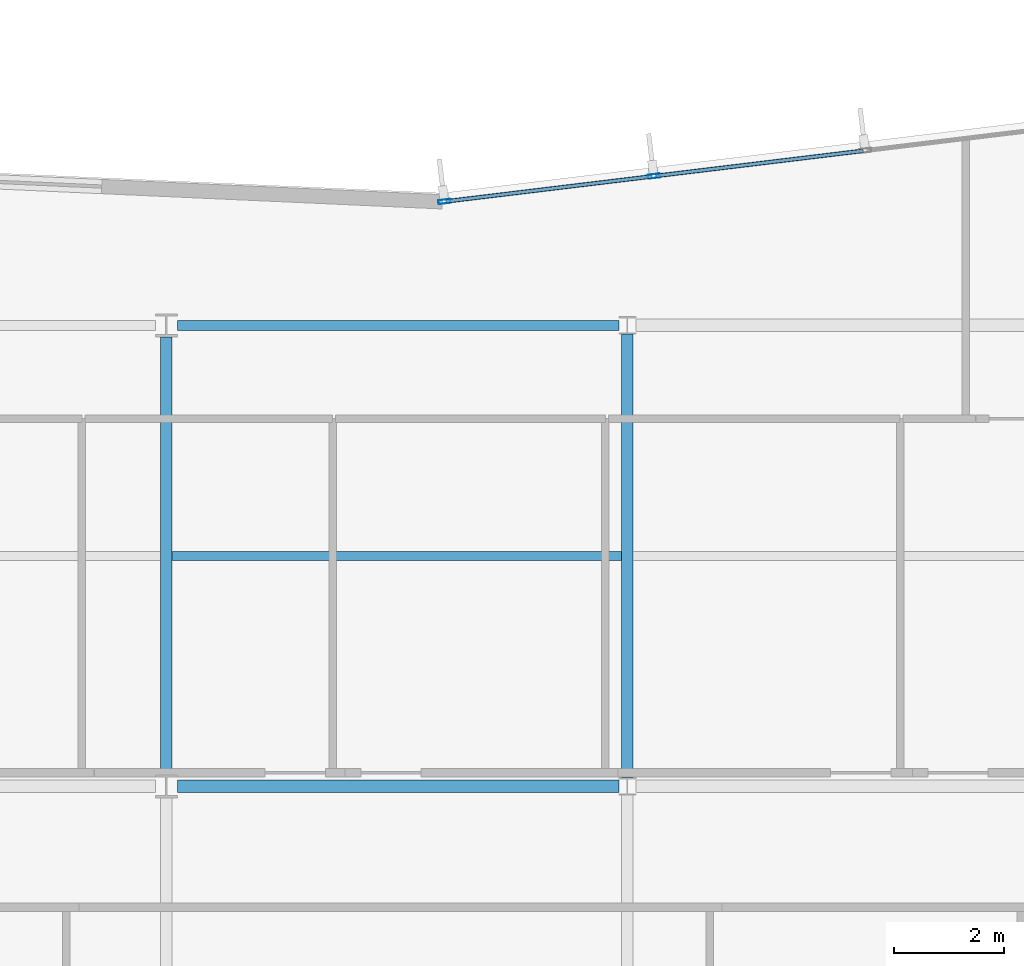
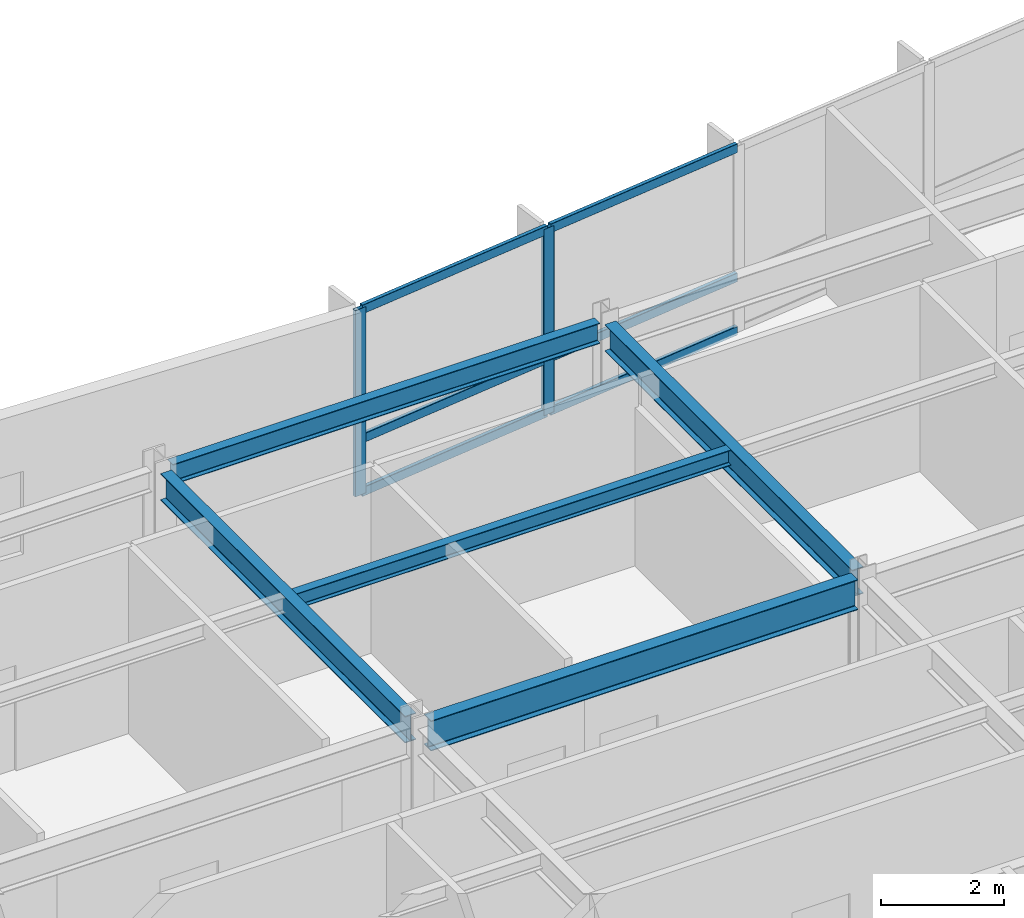
# One storey, part 6 of 18: 8 members, 5 beams, 1 element without a shape of its own.
"""IFC4 building model written with IfcOpenShell, lengths in metres."""

import ifcopenshell
import ifcopenshell.guid

model = None  # the IFC model being written
_history = None  # IfcOwnerHistory: only IFC2X3 demands one
_inside = {}  # id of a spatial element -> (the spatial element, [elements in it])
_under = {}  # id of a project, library or spatial element -> (it, [spatial elements below it])
_declared = {}  # id of a project -> (the project, [libraries it declares])
_typed = {}  # id of a type object -> (the type object, [elements of that type])
_made_of = {}  # id of a material, layer set ... -> (it, [elements and type objects made of it])


def new_model(schema):
    """Start an empty IFC model of exactly this schema.

    Asked for "IFC4X3", IfcOpenShell would pick the latest addendum, in which some entities
    have other attributes; the version numbers below select the first issue.
    IFC2X3 requires an IfcOwnerHistory on every rooted entity: one is made here for all.
    """
    global model, _history
    if schema == "IFC4X3":
        model = ifcopenshell.file(schema_version=(4, 3, 0, 0))
    else:
        model = ifcopenshell.file(schema=schema)
    _inside.clear()
    _under.clear()
    _declared.clear()
    _typed.clear()
    _made_of.clear()
    _history = None
    if model.schema == "IFC2X3":
        org = make("IfcOrganization", Name="unknown")
        user = make(
            "IfcPersonAndOrganization",
            ThePerson=make("IfcPerson", FamilyName="unknown"),
            TheOrganization=org,
        )
        app = make(
            "IfcApplication",
            ApplicationDeveloper=org,
            Version="unknown",
            ApplicationFullName="unknown",
            ApplicationIdentifier="unknown",
        )
        _history = make(
            "IfcOwnerHistory",
            OwningUser=user,
            OwningApplication=app,
            ChangeAction="ADDED",
            CreationDate=0,
        )
    return model


def make(cls, **values):
    """One entity of the class cls with the attributes given. An attribute that is None is left unset."""
    return model.create_entity(
        cls, **{name: value for name, value in values.items() if value is not None}
    )


def rooted(cls, **values):
    """An entity with a GlobalId (a new one), such as an element, a storey or a relation."""
    return make(cls, GlobalId=ifcopenshell.guid.new(), OwnerHistory=_history, **values)


def si_unit(unit_type, name, prefix=None):
    """IfcSIUnit, for example si_unit("LENGTHUNIT", "METRE", prefix="MILLI")."""
    return make("IfcSIUnit", UnitType=unit_type, Prefix=prefix, Name=name)


def assignment(units):
    """IfcUnitAssignment: the units of a project."""
    return None if units is None else make("IfcUnitAssignment", Units=units)


def point(xyz):
    """IfcCartesianPoint."""
    return None if xyz is None else make("IfcCartesianPoint", Coordinates=xyz)


def direction(xyz):
    """IfcDirection."""
    return None if xyz is None else make("IfcDirection", DirectionRatios=xyz)


def frame(location, z_axis=None, x_axis=None):
    """IfcAxis2Placement3D, a coordinate frame: its origin and axes. An axis left out is left unset."""
    return make(
        "IfcAxis2Placement3D",
        Location=point(location),
        Axis=direction(z_axis),
        RefDirection=direction(x_axis),
    )


def frame_2d(location, x_axis=None):
    """IfcAxis2Placement2D, a coordinate frame in the plane: its origin and x axis."""
    return make(
        "IfcAxis2Placement2D", Location=point(location), RefDirection=direction(x_axis)
    )


def origin():
    """The frame at (0, 0, 0) with its axes left unset."""
    return frame((0.0, 0.0, 0.0))


def origin_2d():
    """The frame at (0, 0) in the plane with its x axis left unset."""
    return frame_2d((0.0, 0.0))


def place(relative_to, where):
    """IfcLocalPlacement: puts the frame where relative to a parent placement (None: the world)."""
    return make(
        "IfcLocalPlacement", PlacementRelTo=relative_to, RelativePlacement=where
    )


def context(
    kind, dimensions, precision=None, world=None, true_north=None, identifier=None
):
    """IfcGeometricRepresentationContext, for example the 3D "Model" context."""
    return make(
        "IfcGeometricRepresentationContext",
        ContextIdentifier=identifier,
        ContextType=kind,
        CoordinateSpaceDimension=dimensions,
        Precision=precision,
        WorldCoordinateSystem=world,
        TrueNorth=true_north,
    )


def subcontext(parent, identifier, kind, view, scale=None):
    """IfcGeometricRepresentationSubContext, for example "Body" below "Model"."""
    return make(
        "IfcGeometricRepresentationSubContext",
        ContextIdentifier=identifier,
        ContextType=kind,
        ParentContext=parent,
        TargetScale=scale,
        TargetView=view,
    )


def project(units=None, contexts=None):
    """IfcProject with its units and contexts."""
    return rooted(
        "IfcProject",
        Name="project",
        RepresentationContexts=contexts,
        UnitsInContext=assignment(units),
    )


def spatial(cls, under=None, at=None, **own):
    """A site, building, storey or space (cls), placed at a placement, below another one or the project."""
    s = rooted(cls, ObjectPlacement=at, **own)
    if under is not None:
        _under.setdefault(under.id(), (under, []))[1].append(s)
    return s


def profile(cls, at=None, kind="AREA", **sizes):
    """A parametric profile (cls). Its sizes go by their IFC names, for example OverallWidth=200.0."""
    return make(cls, ProfileType=kind, Position=at, **sizes)


def hollow_rectangle(**sizes):
    """IfcRectangleHollowProfileDef."""
    return profile("IfcRectangleHollowProfileDef", **sizes)


def i_section(**sizes):
    """IfcIShapeProfileDef."""
    return profile("IfcIShapeProfileDef", **sizes)


def extrude(swept, where, along, depth):
    """IfcExtrudedAreaSolid: the profile swept, set in the frame where, extruded along a direction by depth."""
    return make(
        "IfcExtrudedAreaSolid",
        SweptArea=swept,
        Position=where,
        ExtrudedDirection=direction(along),
        Depth=depth,
    )


def shape(context_of_items, identifier, shape_type, items):
    """IfcShapeRepresentation: the items that make up one representation, for example the "Body"."""
    return make(
        "IfcShapeRepresentation",
        ContextOfItems=context_of_items,
        RepresentationIdentifier=identifier,
        RepresentationType=shape_type,
        Items=items,
    )


def material(Name=None, Category=None):
    """IfcMaterial."""
    return make("IfcMaterial", Name=Name, Category=Category)


def layer(
    of_material, thickness, ventilated=None, Name=None, Category=None, Priority=None
):
    """IfcMaterialLayer: one layer of a wall or slab, of a material (None: an air gap)."""
    return make(
        "IfcMaterialLayer",
        Material=of_material,
        LayerThickness=thickness,
        IsVentilated=ventilated,
        Name=Name,
        Category=Category,
        Priority=Priority,
    )


def layer_set(layers, Name=None):
    """IfcMaterialLayerSet."""
    return make("IfcMaterialLayerSet", MaterialLayers=layers, LayerSetName=Name)


def material_profile(
    of_material, cross_section, Name=None, Category=None, Priority=None
):
    """IfcMaterialProfile: a cross section and its material."""
    return make(
        "IfcMaterialProfile",
        Name=Name,
        Material=of_material,
        Profile=cross_section,
        Priority=Priority,
        Category=Category,
    )


def profile_set(profiles, Name=None, composite=None):
    """IfcMaterialProfileSet."""
    return make(
        "IfcMaterialProfileSet",
        Name=Name,
        MaterialProfiles=profiles,
        CompositeProfile=composite,
    )


def made_of(thing, what):
    """Note that an element or type object is made of a material, layer set ...; save() writes the relation."""
    if what is not None:
        _made_of.setdefault(what.id(), (what, []))[1].append(thing)
    return thing


def type_object(cls, material=None, **own):
    """A type object (cls), such as IfcWallType, which elements share."""
    return made_of(rooted(cls, **own), material)


def element(
    cls,
    number,
    at=None,
    inside=None,
    cuts=None,
    type_object=None,
    material=None,
    context=None,
    identifier="Body",
    shape_type=None,
    held_by="IfcProductDefinitionShape",
    body=None,
    shapes=None,
    **own,
):
    """One element of the class cls, such as IfcWall. Its Tag is "e" and its number.

    at: its placement. inside: the storey or other place that contains it. cuts: it is an
    opening in that element (IfcRelVoidsElement). A single representation is given by context,
    identifier, shape_type and body (its items); several are given by shapes. held_by: the class
    of the entity that holds the representations. save() writes the other relations.
    """
    e = rooted(cls, Tag="e%d" % number, ObjectPlacement=at, **own)
    if body is not None:
        shapes = [shape(context, identifier, shape_type, body)]
    if shapes is not None:
        e.Representation = make(held_by, Representations=shapes)
    if inside is not None:
        _inside.setdefault(inside.id(), (inside, []))[1].append(e)
    if cuts is not None:
        rooted(
            "IfcRelVoidsElement", RelatingBuildingElement=cuts, RelatedOpeningElement=e
        )
    if type_object is not None:
        _typed.setdefault(type_object.id(), (type_object, []))[1].append(e)
    return made_of(e, material)


def aggregate(whole, parts):
    """IfcRelAggregates: a whole, such as a stair, and the parts it consists of."""
    return rooted("IfcRelAggregates", RelatingObject=whole, RelatedObjects=parts)


def save(model, path):
    """Write the relations noted so far, then the file.

    IfcRelAggregates (storeys below a building ...), IfcRelContainedInSpatialStructure (elements
    in a storey), IfcRelDefinesByType, IfcRelAssociatesMaterial and IfcRelDeclares: one each for
    every whole, place, type object, material and project.
    """
    for whole, parts in _under.values():
        aggregate(whole, parts)
    for where, things in _inside.values():
        rooted(
            "IfcRelContainedInSpatialStructure",
            RelatedElements=things,
            RelatingStructure=where,
        )
    for kind, things in _typed.values():
        rooted("IfcRelDefinesByType", RelatedObjects=things, RelatingType=kind)
    for what, things in _made_of.values():
        rooted("IfcRelAssociatesMaterial", RelatedObjects=things, RelatingMaterial=what)
    for by, libraries in _declared.values():
        rooted("IfcRelDeclares", RelatingContext=by, RelatedDefinitions=libraries)
    model.write(path)


model = new_model("IFC4")

# Units and contexts
model_context = context("Model", 3, precision=1e-05, world=origin(), true_north=direction((0.0, 1.0)))
body_context = subcontext(model_context, "Body", "Model", "MODEL_VIEW")
ifc_project = project(units=[si_unit("LENGTHUNIT", "METRE"), si_unit("AREAUNIT", "SQUARE_METRE"), si_unit("VOLUMEUNIT", "CUBIC_METRE"), si_unit("PLANEANGLEUNIT", "RADIAN"), si_unit("MASSUNIT", "GRAM", prefix="KILO")], contexts=[model_context])

# Site, building, storey
site_placement = place(None, origin())
site = spatial("IfcSite", under=ifc_project, at=site_placement, CompositionType="ELEMENT")
building_placement = place(site_placement, origin())
building = spatial("IfcBuilding", under=site, at=building_placement, Name="Varnakote Quay Hospital", CompositionType="ELEMENT")
storey_placement = place(building_placement, frame((0.0, 0.0, 107.300048828125)))
storey = spatial("IfcBuildingStorey", under=building, at=storey_placement, Name="L26", CompositionType="ELEMENT", Elevation=107.300048828125)

# Beams
ifc_material_1 = material(Name="Structural steel AS/NZS 3679.1 Grade 350 L0 (fy 340 MPa)", Category="steel")
ifc_material_profile_1 = material_profile(ifc_material_1, i_section(OverallWidth=0.208984375, OverallDepth=0.532958984375, WebThickness=0.01025390625, FlangeThickness=0.015625, FilletRadius=0.013916015625, at=origin_2d()), Name="530UB92.4")
ifc_profile_set_1 = profile_set([ifc_material_profile_1], Name="Structural steel AS/NZS 3679.1 Grade 350 L0 (fy 340 MPa)")
beam_type_1 = type_object("IfcBeamType", Name="BM-STL-530UB92-4", PredefinedType="BEAM", material=ifc_profile_set_1)
beam_1_placement = place(storey_placement, frame((33.60009765625, 20.610107421875, 3.443359375), z_axis=(0.0, 1.0, 0.0), x_axis=(-1.0, 0.0, 0.0)))
element("IfcBeam", 1, at=beam_1_placement, inside=storey, type_object=beam_type_1, Name="L26 Primary Tie Beam", PredefinedType="BEAM", context=body_context, shape_type="SweptSolid", body=[
    extrude(i_section(OverallWidth=0.208984375, OverallDepth=0.532958984375, WebThickness=0.01025390625, FlangeThickness=0.015625, FilletRadius=0.013916015625, at=origin_2d()), origin(), (0.0, 0.0, 1.0), 7.97998046875),
])
beam_2_placement = place(storey_placement, frame((42.0, 20.560546875, 3.443359375), z_axis=(0.0, 1.0, 0.0), x_axis=(-1.0, 0.0, 0.0)))
element("IfcBeam", 2, at=beam_2_placement, inside=storey, type_object=beam_type_1, Name="L26 Primary Tie Beam", PredefinedType="BEAM", context=body_context, shape_type="SweptSolid", body=[
    extrude(i_section(OverallWidth=0.208984375, OverallDepth=0.532958984375, WebThickness=0.01025390625, FlangeThickness=0.015625, FilletRadius=0.013916015625, at=origin_2d()), origin(), (0.0, 0.0, 1.0), 8.078857421875),
])
ifc_material_2 = material(Name="Structural steel AS/NZS 3679.1 Grade 350 L0 (fy 340 MPa)", Category="steel")
ifc_material_profile_2 = material_profile(ifc_material_2, i_section(OverallWidth=0.22802734375, OverallDepth=0.60205078125, WebThickness=0.010498046875, FlangeThickness=0.014892578125, FilletRadius=0.013916015625, at=origin_2d()), Name="610UB101")
ifc_profile_set_2 = profile_set([ifc_material_profile_2], Name="Structural steel AS/NZS 3679.1 Grade 350 L0 (fy 340 MPa)")
beam_type_2 = type_object("IfcBeamType", Name="BM-STL-610UB101", PredefinedType="BEAM", material=ifc_profile_set_2)
beam_3_placement = place(storey_placement, frame((33.800048828125, 20.39990234375, 3.408935546875), z_axis=(1.0, 0.0, 0.0), x_axis=(0.0, 1.0, 0.0)))
element("IfcBeam", 3, at=beam_3_placement, inside=storey, type_object=beam_type_2, Name="L26 Primary Floor Beam", PredefinedType="BEAM", context=body_context, shape_type="SweptSolid", body=[
    extrude(i_section(OverallWidth=0.22802734375, OverallDepth=0.60205078125, WebThickness=0.010498046875, FlangeThickness=0.014892578125, FilletRadius=0.013916015625, at=origin_2d()), origin(), (0.0, 0.0, 1.0), 8.04541015625),
])

# Curtain wall, members
ifc_material_3 = material(Name="Anodised aluminium 6063-T6 Bronze", Category="aluminium")
ifc_layer = layer(ifc_material_3, 0.205078125)
ifc_layer_set = layer_set([ifc_layer], Name="Anodised aluminium 6063-T6 Bronze")
curtain_wall_type = type_object("IfcCurtainWallType", Name="CW-SYS-3", PredefinedType="NOTDEFINED", material=ifc_layer_set)
curtain_wall_placement = place(storey_placement, origin())
curtain_wall = element("IfcCurtainWall", 4, at=curtain_wall_placement, inside=storey, type_object=curtain_wall_type, Name="L26 Unitised Bronze Curtain Wall 2", PredefinedType="NOTDEFINED")
ifc_material_4 = material(Name="Anodised aluminium 6063-T6 Bronze", Category="aluminium")
ifc_material_profile_3 = material_profile(ifc_material_4, hollow_rectangle(XDim=0.074951171875, YDim=0.219970703125, WallThickness=0.00439453125, InnerFilletRadius=0.00439453125, OuterFilletRadius=0.009033203125, at=origin_2d()), Name="CW-MULL-220x75")
ifc_profile_set_3 = profile_set([ifc_material_profile_3], Name="Anodised aluminium 6063-T6 Bronze")
member_type_1 = type_object("IfcMemberType", Name="CW-MULL-220x75", PredefinedType="MULLION", material=ifc_profile_set_3)
member_1_placement = place(storey_placement, frame((42.482666015625, 31.5185546875, 0.0), z_axis=(0.0, 0.0, 1.0), x_axis=(0.12032713492, -0.992734295067, 0.0)))
member_1 = element("IfcMember", 5, at=member_1_placement, type_object=member_type_1, Name="-3-L26-2 mullion 4", PredefinedType="MULLION", context=body_context, shape_type="SweptSolid", body=[
    extrude(hollow_rectangle(XDim=0.074951171875, YDim=0.219970703125, WallThickness=0.00439453125, InnerFilletRadius=0.00439453125, OuterFilletRadius=0.009033203125, at=origin_2d()), origin(), (0.0, 0.0, 1.0), 3.7099609375),
])
member_2_placement = place(storey_placement, frame((38.667236328125, 31.05615234375, 0.0), z_axis=(0.0, 0.0, 1.0), x_axis=(0.12032713492, -0.992734295067, 0.0)))
member_2 = element("IfcMember", 6, at=member_2_placement, type_object=member_type_1, Name="-3-L26-2 mullion 5", PredefinedType="MULLION", context=body_context, shape_type="SweptSolid", body=[
    extrude(hollow_rectangle(XDim=0.074951171875, YDim=0.219970703125, WallThickness=0.00439453125, InnerFilletRadius=0.00439453125, OuterFilletRadius=0.009033203125, at=origin_2d()), origin(), (0.0, 0.0, 1.0), 3.7099609375),
])
ifc_material_5 = material(Name="Anodised aluminium 6063-T6 Bronze", Category="aluminium")
ifc_material_profile_4 = material_profile(ifc_material_5, hollow_rectangle(XDim=0.074951171875, YDim=0.179931640625, WallThickness=0.004150390625, InnerFilletRadius=0.004150390625, OuterFilletRadius=0.00830078125, at=origin_2d()), Name="CW-TRAN-180x75")
ifc_profile_set_4 = profile_set([ifc_material_profile_4], Name="Anodised aluminium 6063-T6 Bronze")
member_type_2 = type_object("IfcMemberType", Name="CW-TRAN-180x75", PredefinedType="USERDEFINED", material=ifc_profile_set_4)
member_3_placement = place(storey_placement, frame((46.2978515625, 31.98095703125, 0.037353515625), z_axis=(-0.992731924158, -0.120346694005, 0.0), x_axis=(0.120346694005, -0.992731924158, 0.0)))
member_3 = element("IfcMember", 7, at=member_3_placement, type_object=member_type_2, Name="-3-L26-2 transom 3.1", ObjectType="TRANSOM", PredefinedType="USERDEFINED", context=body_context, shape_type="SweptSolid", body=[
    extrude(hollow_rectangle(XDim=0.074951171875, YDim=0.179931640625, WallThickness=0.004150390625, InnerFilletRadius=0.004150390625, OuterFilletRadius=0.00830078125, at=origin_2d()), origin(), (0.0, 0.0, 1.0), 3.8056640625),
])
member_4_placement = place(storey_placement, frame((46.2978515625, 31.98095703125, 1.099853515625), z_axis=(-0.992731924158, -0.120346694005, 0.0), x_axis=(0.120346694005, -0.992731924158, 0.0)))
member_4 = element("IfcMember", 8, at=member_4_placement, type_object=member_type_2, Name="-3-L26-2 transom 3.2", ObjectType="TRANSOM", PredefinedType="USERDEFINED", context=body_context, shape_type="SweptSolid", body=[
    extrude(hollow_rectangle(XDim=0.074951171875, YDim=0.179931640625, WallThickness=0.004150390625, InnerFilletRadius=0.004150390625, OuterFilletRadius=0.00830078125, at=origin_2d()), origin(), (0.0, 0.0, 1.0), 3.8056640625),
])
member_5_placement = place(storey_placement, frame((46.2978515625, 31.98095703125, 3.67236328125), z_axis=(-0.992731924158, -0.120346694005, 0.0), x_axis=(0.120346694005, -0.992731924158, 0.0)))
member_5 = element("IfcMember", 9, at=member_5_placement, type_object=member_type_2, Name="-3-L26-2 transom 3.3", ObjectType="TRANSOM", PredefinedType="USERDEFINED", context=body_context, shape_type="SweptSolid", body=[
    extrude(hollow_rectangle(XDim=0.074951171875, YDim=0.179931640625, WallThickness=0.004150390625, InnerFilletRadius=0.004150390625, OuterFilletRadius=0.00830078125, at=origin_2d()), origin(), (0.0, 0.0, 1.0), 3.8056640625),
])
member_6_placement = place(storey_placement, frame((42.4453125, 31.513916015625, 0.037353515625), z_axis=(-0.992735423717, -0.120317822859, 0.0), x_axis=(0.120317822859, -0.992735423717, 0.0)))
member_6 = element("IfcMember", 10, at=member_6_placement, type_object=member_type_2, Name="-3-L26-2 transom 4.1", ObjectType="TRANSOM", PredefinedType="USERDEFINED", context=body_context, shape_type="SweptSolid", body=[
    extrude(hollow_rectangle(XDim=0.074951171875, YDim=0.179931640625, WallThickness=0.004150390625, InnerFilletRadius=0.004150390625, OuterFilletRadius=0.00830078125, at=origin_2d()), origin(), (0.0, 0.0, 1.0), 3.76806640625),
])
member_7_placement = place(storey_placement, frame((42.4453125, 31.513916015625, 1.099853515625), z_axis=(-0.992735423717, -0.120317822859, 0.0), x_axis=(0.120317822859, -0.992735423717, 0.0)))
member_7 = element("IfcMember", 11, at=member_7_placement, type_object=member_type_2, Name="-3-L26-2 transom 4.2", ObjectType="TRANSOM", PredefinedType="USERDEFINED", context=body_context, shape_type="SweptSolid", body=[
    extrude(hollow_rectangle(XDim=0.074951171875, YDim=0.179931640625, WallThickness=0.004150390625, InnerFilletRadius=0.004150390625, OuterFilletRadius=0.00830078125, at=origin_2d()), origin(), (0.0, 0.0, 1.0), 3.76806640625),
])
member_8_placement = place(storey_placement, frame((42.4453125, 31.513916015625, 3.67236328125), z_axis=(-0.992735423717, -0.120317822859, 0.0), x_axis=(0.120317822859, -0.992735423717, 0.0)))
member_8 = element("IfcMember", 12, at=member_8_placement, type_object=member_type_2, Name="-3-L26-2 transom 4.3", ObjectType="TRANSOM", PredefinedType="USERDEFINED", context=body_context, shape_type="SweptSolid", body=[
    extrude(hollow_rectangle(XDim=0.074951171875, YDim=0.179931640625, WallThickness=0.004150390625, InnerFilletRadius=0.004150390625, OuterFilletRadius=0.00830078125, at=origin_2d()), origin(), (0.0, 0.0, 1.0), 3.76806640625),
])
aggregate(curtain_wall, [member_1, member_2, member_3, member_4, member_5, member_6, member_7, member_8])

# Beams
ifc_material_6 = material(Name="Structural steel AS/NZS 3679.1 Grade 350 L0 (fy 340 MPa)", Category="steel")
ifc_material_profile_5 = material_profile(ifc_material_6, i_section(OverallWidth=0.166015625, OverallDepth=0.306884765625, WebThickness=0.006591796875, FlangeThickness=0.01171875, FilletRadius=0.011474609375, at=origin_2d()), Name="310UB46.2")
ifc_profile_set_5 = profile_set([ifc_material_profile_5], Name="Structural steel AS/NZS 3679.1 Grade 350 L0 (fy 340 MPa)")
beam_type_3 = type_object("IfcBeamType", Name="JST-STL-310UB46-2", PredefinedType="JOIST", material=ifc_profile_set_5)
beam_4_placement = place(storey_placement, frame((33.70458984375, 24.60009765625, 3.556396484375), z_axis=(1.0, 0.0, 0.0), x_axis=(0.0, 1.0, 0.0)))
element("IfcBeam", 13, at=beam_4_placement, inside=storey, type_object=beam_type_3, Name="L26 Composite Floor Joist", PredefinedType="JOIST", context=body_context, shape_type="SweptSolid", body=[
    extrude(i_section(OverallWidth=0.166015625, OverallDepth=0.306884765625, WebThickness=0.006591796875, FlangeThickness=0.01171875, FilletRadius=0.011474609375, at=origin_2d()), origin(), (0.0, 0.0, 1.0), 8.19091796875),
])
ifc_material_7 = material(Name="Structural steel AS/NZS 3679.1 Grade 350 L0 (fy 340 MPa)", Category="steel")
ifc_material_profile_6 = material_profile(ifc_material_7, i_section(OverallWidth=0.177978515625, OverallDepth=0.406005859375, WebThickness=0.0078125, FlangeThickness=0.0126953125, FilletRadius=0.011474609375, at=origin_2d()), Name="410UB59.7")
ifc_profile_set_6 = profile_set([ifc_material_profile_6], Name="Structural steel AS/NZS 3679.1 Grade 350 L0 (fy 340 MPa)")
beam_type_4 = type_object("IfcBeamType", Name="SPN-STL-410UB59-7", PredefinedType="SPANDREL", material=ifc_profile_set_6)
beam_5_placement = place(storey_placement, frame((33.800048828125, 28.800048828125, 3.5068359375), z_axis=(1.0, 0.0, 0.0), x_axis=(0.0, 1.0, 0.0)))
element("IfcBeam", 14, at=beam_5_placement, inside=storey, type_object=beam_type_4, Name="L26 Perimeter Spandrel Beam", PredefinedType="SPANDREL", context=body_context, shape_type="SweptSolid", body=[
    extrude(i_section(OverallWidth=0.177978515625, OverallDepth=0.406005859375, WebThickness=0.0078125, FlangeThickness=0.0126953125, FilletRadius=0.011474609375, at=origin_2d()), origin(), (0.0, 0.0, 1.0), 8.04541015625),
])

save(model, "model.ifc")
